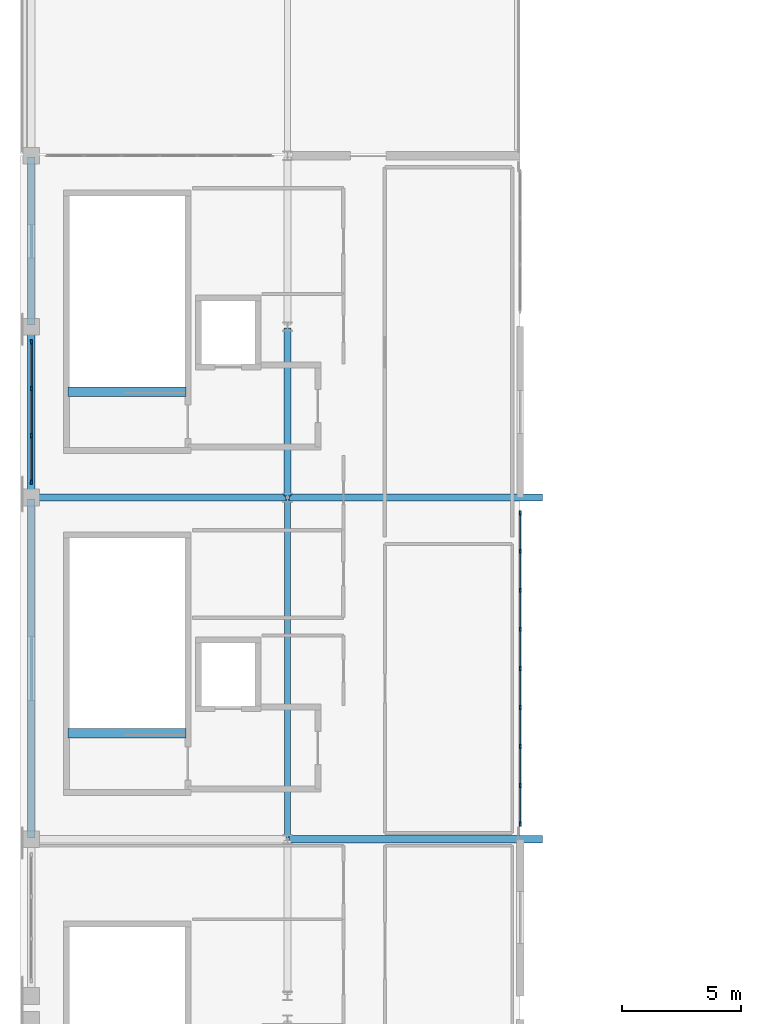
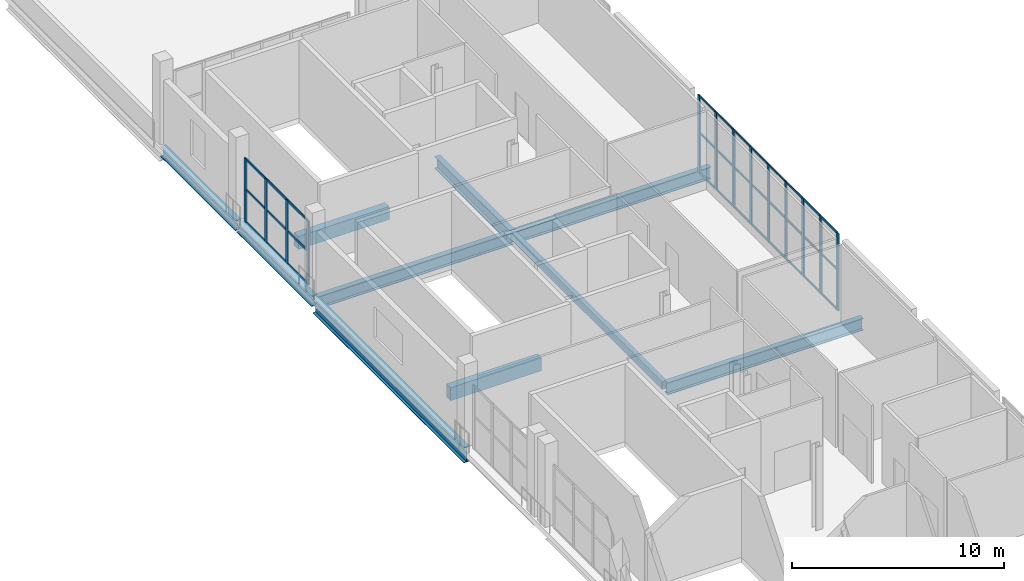
# One storey, part 6 of 19: 46 members, 10 beams, 2 elements without a shape of their own.
"""IFC4 building model written with IfcOpenShell, lengths in metres."""

from ifc_helpers import new_model, si_unit, direction, frame, origin, origin_2d, place, context, subcontext, project, spatial, rectangle, hollow_rectangle, i_section, extrude, material, material_profile, profile_set, type_object, element, aggregate, save


model = new_model("IFC4")

# Units and contexts
model_context = context("Model", 3, precision=1e-05, world=origin(), true_north=direction((0.0, 1.0)))
body_context = subcontext(model_context, "Body", "Model", "MODEL_VIEW")
ifc_project = project(units=[si_unit("LENGTHUNIT", "METRE"), si_unit("AREAUNIT", "SQUARE_METRE"), si_unit("VOLUMEUNIT", "CUBIC_METRE"), si_unit("PLANEANGLEUNIT", "RADIAN"), si_unit("MASSUNIT", "GRAM", prefix="KILO")], contexts=[model_context])

# Site, building, storey
site_placement = place(None, origin())
site = spatial("IfcSite", under=ifc_project, at=site_placement, CompositionType="ELEMENT")
building_placement = place(site_placement, origin())
building = spatial("IfcBuilding", under=site, at=building_placement, Name="Koshinbarg Plaza Stadium", CompositionType="ELEMENT")
storey_placement = place(building_placement, frame((0.0, 0.0, 29.39990234375)))
storey = spatial("IfcBuildingStorey", under=building, at=storey_placement, Name="L06", CompositionType="ELEMENT", Elevation=29.39990234375)

# Beams
ifc_material_1 = material(Name="Concrete C40/50", Category="concrete")
ifc_material_profile_1 = material_profile(ifc_material_1, rectangle(XDim=0.39990234375, YDim=0.75, at=origin_2d()), Name="RC 400x750")
ifc_profile_set_1 = profile_set([ifc_material_profile_1], Name="Concrete C40/50")
beam_type_1 = type_object("IfcBeamType", Name="BM-RCG-03", PredefinedType="USERDEFINED", material=ifc_profile_set_1)
for number, where, z_axis, x_axis, name in (
    (1, (26.14990234375, 87.56005859375, -0.375), (1.0, 0.0, 0.0), (0.0, 1.0, 0.0), "L06 stair landing header beam C05"),
    (2, (26.14990234375, 101.9599609375, -0.375), (1.0, 0.0, 0.0), (0.0, 1.0, 0.0), "L06 stair landing header beam C06"),
):
    element("IfcBeam", number, at=place(storey_placement, frame(where, z_axis=z_axis, x_axis=x_axis)), inside=storey, type_object=beam_type_1, Name=name, ObjectType="GIRDER", PredefinedType="USERDEFINED", context=body_context, shape_type="SweptSolid", body=[
        extrude(rectangle(XDim=0.39990234375, YDim=0.75, at=origin_2d()), origin(), (0.0, 0.0, 1.0), 4.97021484375),
    ])
ifc_material_2 = material(Name="Steel S355", Category="steel")
ifc_material_profile_2 = material_profile(ifc_material_2, i_section(OverallWidth=0.300048828125, OverallDepth=0.60009765625, WebThickness=0.015380859375, FlangeThickness=0.030029296875, at=origin_2d()), Name="HEB 600")
ifc_profile_set_2 = profile_set([ifc_material_profile_2], Name="Steel S355")
beam_type_2 = type_object("IfcBeamType", Name="BM-SGIR-02", PredefinedType="USERDEFINED", material=ifc_profile_set_2)
beam_1_placement = place(storey_placement, frame((24.60009765625, 97.56005859375, -0.599853515625), z_axis=(0.0, 1.0, 0.0), x_axis=(-1.0, 0.0, 0.0)))
element("IfcBeam", 3, at=beam_1_placement, inside=storey, type_object=beam_type_2, Name="L06 Y girder 5/N-P", ObjectType="GIRDER", PredefinedType="USERDEFINED", context=body_context, shape_type="SweptSolid", body=[
    extrude(i_section(OverallWidth=0.300048828125, OverallDepth=0.60009765625, WebThickness=0.015380859375, FlangeThickness=0.030029296875, at=origin_2d()), origin(), (0.0, 0.0, 1.0), 7.079833984375),
])
beam_2_placement = place(storey_placement, frame((24.60009765625, 104.760009765625, -0.599853515625), z_axis=(0.0, 1.0, 0.0), x_axis=(-1.0, 0.0, 0.0)))
element("IfcBeam", 4, at=beam_2_placement, inside=storey, type_object=beam_type_2, Name="L06 Y girder 5/P-Q", ObjectType="GIRDER", PredefinedType="USERDEFINED", context=body_context, shape_type="SweptSolid", body=[
    extrude(i_section(OverallWidth=0.300048828125, OverallDepth=0.60009765625, WebThickness=0.015380859375, FlangeThickness=0.030029296875, at=origin_2d()), origin(), (0.0, 0.0, 1.0), 7.080078125),
])
ifc_material_profile_3 = material_profile(ifc_material_2, i_section(OverallWidth=0.300048828125, OverallDepth=0.699951171875, WebThickness=0.01708984375, FlangeThickness=0.031982421875, at=origin_2d()), Name="HEB 700")
ifc_profile_set_3 = profile_set([ifc_material_profile_3], Name="Steel S355")
beam_type_3 = type_object("IfcBeamType", Name="BM-SGIR-03", PredefinedType="USERDEFINED", material=ifc_profile_set_3)
beam_3_placement = place(storey_placement, frame((35.4599609375, 83.10009765625, -0.64990234375), z_axis=(1.0, 0.0, 0.0), x_axis=(0.0, 1.0, 0.0)))
element("IfcBeam", 5, at=beam_3_placement, inside=storey, type_object=beam_type_3, Name="L06 X girder M/6-7", ObjectType="GIRDER", PredefinedType="USERDEFINED", context=body_context, shape_type="SweptSolid", body=[
    extrude(i_section(OverallWidth=0.300048828125, OverallDepth=0.699951171875, WebThickness=0.01708984375, FlangeThickness=0.031982421875, at=origin_2d()), origin(), (0.0, 0.0, 1.0), 10.679931640625),
])
beam_4_placement = place(storey_placement, frame((24.659912109375, 97.5, -0.64990234375), z_axis=(1.0, 0.0, 0.0), x_axis=(0.0, 1.0, 0.0)))
element("IfcBeam", 6, at=beam_4_placement, inside=storey, type_object=beam_type_3, Name="L06 X girder N/5-6", ObjectType="GIRDER", PredefinedType="USERDEFINED", context=body_context, shape_type="SweptSolid", body=[
    extrude(i_section(OverallWidth=0.300048828125, OverallDepth=0.699951171875, WebThickness=0.01708984375, FlangeThickness=0.031982421875, at=origin_2d()), origin(), (0.0, 0.0, 1.0), 10.68017578125),
])
beam_5_placement = place(storey_placement, frame((35.4599609375, 97.5, -0.64990234375), z_axis=(1.0, 0.0, 0.0), x_axis=(0.0, 1.0, 0.0)))
element("IfcBeam", 7, at=beam_5_placement, inside=storey, type_object=beam_type_3, Name="L06 X girder N/6-7", ObjectType="GIRDER", PredefinedType="USERDEFINED", context=body_context, shape_type="SweptSolid", body=[
    extrude(i_section(OverallWidth=0.300048828125, OverallDepth=0.699951171875, WebThickness=0.01708984375, FlangeThickness=0.031982421875, at=origin_2d()), origin(), (0.0, 0.0, 1.0), 10.679931640625),
])
beam_6_placement = place(storey_placement, frame((35.39990234375, 97.56005859375, -0.64990234375), z_axis=(0.0, 1.0, 0.0), x_axis=(-1.0, 0.0, 0.0)))
element("IfcBeam", 8, at=beam_6_placement, inside=storey, type_object=beam_type_3, Name="L06 Y girder 6/N-P", ObjectType="GIRDER", PredefinedType="USERDEFINED", context=body_context, shape_type="SweptSolid", body=[
    extrude(i_section(OverallWidth=0.300048828125, OverallDepth=0.699951171875, WebThickness=0.01708984375, FlangeThickness=0.031982421875, at=origin_2d()), origin(), (0.0, 0.0, 1.0), 7.079833984375),
])
ifc_material_profile_4 = material_profile(ifc_material_2, i_section(OverallWidth=0.300048828125, OverallDepth=0.89990234375, WebThickness=0.0185546875, FlangeThickness=0.034912109375, at=origin_2d()), Name="HEB 900")
ifc_profile_set_4 = profile_set([ifc_material_profile_4], Name="Steel S355")
beam_type_4 = type_object("IfcBeamType", Name="BM-SGIR-05", PredefinedType="USERDEFINED", material=ifc_profile_set_4)
beam_7_placement = place(storey_placement, frame((24.60009765625, 83.159912109375, -0.75), z_axis=(0.0, 1.0, 0.0), x_axis=(-1.0, 0.0, 0.0)))
element("IfcBeam", 9, at=beam_7_placement, inside=storey, type_object=beam_type_4, Name="L06 Y girder 5/M-N", ObjectType="GIRDER", PredefinedType="USERDEFINED", context=body_context, shape_type="SweptSolid", body=[
    extrude(i_section(OverallWidth=0.300048828125, OverallDepth=0.89990234375, WebThickness=0.0185546875, FlangeThickness=0.034912109375, at=origin_2d()), origin(), (0.0, 0.0, 1.0), 14.280029296875),
])
ifc_material_profile_5 = material_profile(ifc_material_2, hollow_rectangle(XDim=0.25, YDim=0.449951171875, WallThickness=0.01611328125, at=origin_2d()), Name="RHS 450x250x16")
ifc_profile_set_5 = profile_set([ifc_material_profile_5], Name="Steel S355")
beam_type_5 = type_object("IfcBeamType", Name="BM-SGIR-06", PredefinedType="USERDEFINED", material=ifc_profile_set_5)
beam_8_placement = place(storey_placement, frame((35.39990234375, 83.159912109375, -0.52490234375), z_axis=(0.0, 1.0, 0.0), x_axis=(-1.0, 0.0, 0.0)))
element("IfcBeam", 10, at=beam_8_placement, inside=storey, type_object=beam_type_5, Name="L06 Y girder 6/M-N", ObjectType="GIRDER", PredefinedType="USERDEFINED", context=body_context, shape_type="SweptSolid", body=[
    extrude(hollow_rectangle(XDim=0.25, YDim=0.449951171875, WallThickness=0.01611328125, at=origin_2d()), origin(), (0.0, 0.0, 1.0), 14.280029296875),
])

# Curtain wall, members
ifc_material_3 = material(Name="Thermally broken anodised aluminium and low-E double glazing", Category="aluminium")
curtain_wall_type_1 = type_object("IfcCurtainWallType", Name="CW-SYS-15", PredefinedType="NOTDEFINED", material=ifc_material_3)
curtain_wall_1_placement = place(storey_placement, origin())
curtain_wall_1 = element("IfcCurtainWall", 11, at=curtain_wall_1_placement, inside=storey, type_object=curtain_wall_type_1, Name="L06 unitised curtain wall CW-L06-158", PredefinedType="NOTDEFINED")
ifc_material_4 = material(Name="Anodised aluminium mullion", Category="aluminium")
ifc_material_profile_6 = material_profile(ifc_material_4, rectangle(XDim=0.070068359375, YDim=0.179931640625, at=origin_2d()), Name="ALU 70x180")
ifc_profile_set_6 = profile_set([ifc_material_profile_6], Name="Anodised aluminium mullion")
member_type_1 = type_object("IfcMemberType", Name="CW-MUL-03", PredefinedType="MULLION", material=ifc_profile_set_6)
member_1_placement = place(storey_placement, frame((45.199951171875, 96.85009765625, 0.0), z_axis=(0.0, 0.0, 1.0), x_axis=(1.0, 0.0, 0.0)))
member_1 = element("IfcMember", 12, at=member_1_placement, type_object=member_type_1, Name="CW15 mullion 1", PredefinedType="MULLION", context=body_context, shape_type="SweptSolid", body=[
    extrude(rectangle(XDim=0.070068359375, YDim=0.179931640625, at=origin_2d()), origin(), (0.0, 0.0, 1.0), 4.47998046875),
])
member_2_placement = place(storey_placement, frame((45.199951171875, 95.235107421875, 0.0), z_axis=(0.0, 0.0, 1.0), x_axis=(1.0, 0.0, 0.0)))
member_2 = element("IfcMember", 13, at=member_2_placement, type_object=member_type_1, Name="CW15 mullion 2", PredefinedType="MULLION", context=body_context, shape_type="SweptSolid", body=[
    extrude(rectangle(XDim=0.070068359375, YDim=0.179931640625, at=origin_2d()), origin(), (0.0, 0.0, 1.0), 4.47998046875),
])
member_3_placement = place(storey_placement, frame((45.199951171875, 93.590087890625, 0.0), z_axis=(0.0, 0.0, 1.0), x_axis=(1.0, 0.0, 0.0)))
member_3 = element("IfcMember", 14, at=member_3_placement, type_object=member_type_1, Name="CW15 mullion 3", PredefinedType="MULLION", context=body_context, shape_type="SweptSolid", body=[
    extrude(rectangle(XDim=0.070068359375, YDim=0.179931640625, at=origin_2d()), origin(), (0.0, 0.0, 1.0), 4.47998046875),
])
member_4_placement = place(storey_placement, frame((45.199951171875, 91.945068359375, 0.0), z_axis=(0.0, 0.0, 1.0), x_axis=(1.0, 0.0, 0.0)))
member_4 = element("IfcMember", 15, at=member_4_placement, type_object=member_type_1, Name="CW15 mullion 4", PredefinedType="MULLION", context=body_context, shape_type="SweptSolid", body=[
    extrude(rectangle(XDim=0.070068359375, YDim=0.179931640625, at=origin_2d()), origin(), (0.0, 0.0, 1.0), 4.47998046875),
])
member_5_placement = place(storey_placement, frame((45.199951171875, 90.300048828125, 0.0), z_axis=(0.0, 0.0, 1.0), x_axis=(1.0, 0.0, 0.0)))
member_5 = element("IfcMember", 16, at=member_5_placement, type_object=member_type_1, Name="CW15 mullion 5", PredefinedType="MULLION", context=body_context, shape_type="SweptSolid", body=[
    extrude(rectangle(XDim=0.070068359375, YDim=0.179931640625, at=origin_2d()), origin(), (0.0, 0.0, 1.0), 4.47998046875),
])
member_6_placement = place(storey_placement, frame((45.199951171875, 88.655029296875, 0.0), z_axis=(0.0, 0.0, 1.0), x_axis=(1.0, 0.0, 0.0)))
member_6 = element("IfcMember", 17, at=member_6_placement, type_object=member_type_1, Name="CW15 mullion 6", PredefinedType="MULLION", context=body_context, shape_type="SweptSolid", body=[
    extrude(rectangle(XDim=0.070068359375, YDim=0.179931640625, at=origin_2d()), origin(), (0.0, 0.0, 1.0), 4.47998046875),
])
member_7_placement = place(storey_placement, frame((45.199951171875, 87.010009765625, 0.0), z_axis=(0.0, 0.0, 1.0), x_axis=(1.0, 0.0, 0.0)))
member_7 = element("IfcMember", 18, at=member_7_placement, type_object=member_type_1, Name="CW15 mullion 7", PredefinedType="MULLION", context=body_context, shape_type="SweptSolid", body=[
    extrude(rectangle(XDim=0.070068359375, YDim=0.179931640625, at=origin_2d()), origin(), (0.0, 0.0, 1.0), 4.47998046875),
])
member_8_placement = place(storey_placement, frame((45.199951171875, 85.364990234375, 0.0), z_axis=(0.0, 0.0, 1.0), x_axis=(1.0, 0.0, 0.0)))
member_8 = element("IfcMember", 19, at=member_8_placement, type_object=member_type_1, Name="CW15 mullion 8", PredefinedType="MULLION", context=body_context, shape_type="SweptSolid", body=[
    extrude(rectangle(XDim=0.070068359375, YDim=0.179931640625, at=origin_2d()), origin(), (0.0, 0.0, 1.0), 4.47998046875),
])
member_9_placement = place(storey_placement, frame((45.199951171875, 83.75, 0.0), z_axis=(0.0, 0.0, 1.0), x_axis=(1.0, 0.0, 0.0)))
member_9 = element("IfcMember", 20, at=member_9_placement, type_object=member_type_1, Name="CW15 mullion 9", PredefinedType="MULLION", context=body_context, shape_type="SweptSolid", body=[
    extrude(rectangle(XDim=0.070068359375, YDim=0.179931640625, at=origin_2d()), origin(), (0.0, 0.0, 1.0), 4.47998046875),
])

curtain_wall_type_2 = type_object("IfcCurtainWallType", Name="CW-SYS-12", PredefinedType="NOTDEFINED", material=ifc_material_3)
curtain_wall_2_placement = place(storey_placement, origin())
curtain_wall_2 = element("IfcCurtainWall", 21, at=curtain_wall_2_placement, inside=storey, type_object=curtain_wall_type_2, Name="L06 unitised curtain wall CW-L06-155", PredefinedType="NOTDEFINED")
ifc_material_profile_7 = material_profile(ifc_material_4, rectangle(XDim=0.070068359375, YDim=0.199951171875, at=origin_2d()), Name="ALU 70x200")
ifc_profile_set_7 = profile_set([ifc_material_profile_7], Name="Anodised aluminium mullion")
member_type_2 = type_object("IfcMemberType", Name="CW-MUL-04", PredefinedType="MULLION", material=ifc_profile_set_7)
member_10_placement = place(storey_placement, frame((24.60009765625, 98.14990234375, 0.0), z_axis=(0.0, 0.0, 1.0), x_axis=(-1.0, 0.0, 0.0)))
member_10 = element("IfcMember", 22, at=member_10_placement, type_object=member_type_2, Name="CW12 mullion 1", PredefinedType="MULLION", context=body_context, shape_type="SweptSolid", body=[
    extrude(rectangle(XDim=0.070068359375, YDim=0.199951171875, at=origin_2d()), origin(), (0.0, 0.0, 1.0), 3.68017578125),
])
member_11_placement = place(storey_placement, frame((24.60009765625, 100.106689453125, 0.0), z_axis=(0.0, 0.0, 1.0), x_axis=(-1.0, 0.0, 0.0)))
member_11 = element("IfcMember", 23, at=member_11_placement, type_object=member_type_2, Name="CW12 mullion 2", PredefinedType="MULLION", context=body_context, shape_type="SweptSolid", body=[
    extrude(rectangle(XDim=0.070068359375, YDim=0.199951171875, at=origin_2d()), origin(), (0.0, 0.0, 1.0), 3.68017578125),
])
member_12_placement = place(storey_placement, frame((24.60009765625, 102.09326171875, 0.0), z_axis=(0.0, 0.0, 1.0), x_axis=(-1.0, 0.0, 0.0)))
member_12 = element("IfcMember", 24, at=member_12_placement, type_object=member_type_2, Name="CW12 mullion 3", PredefinedType="MULLION", context=body_context, shape_type="SweptSolid", body=[
    extrude(rectangle(XDim=0.070068359375, YDim=0.199951171875, at=origin_2d()), origin(), (0.0, 0.0, 1.0), 3.68017578125),
])
member_13_placement = place(storey_placement, frame((24.60009765625, 104.050048828125, 0.0), z_axis=(0.0, 0.0, 1.0), x_axis=(-1.0, 0.0, 0.0)))
member_13 = element("IfcMember", 25, at=member_13_placement, type_object=member_type_2, Name="CW12 mullion 4", PredefinedType="MULLION", context=body_context, shape_type="SweptSolid", body=[
    extrude(rectangle(XDim=0.070068359375, YDim=0.199951171875, at=origin_2d()), origin(), (0.0, 0.0, 1.0), 3.68017578125),
])

# Member
ifc_material_5 = material(Name="Anodised aluminium transom", Category="aluminium")
ifc_material_profile_8 = material_profile(ifc_material_5, rectangle(XDim=0.06005859375, YDim=0.110107421875, at=origin_2d()), Name="ALU 60x110")
ifc_profile_set_8 = profile_set([ifc_material_profile_8], Name="Anodised aluminium transom")
member_type_3 = type_object("IfcMemberType", Name="CW-TRN-01", PredefinedType="USERDEFINED", material=ifc_profile_set_8)
member_14_placement = place(storey_placement, frame((45.199951171875, 96.820068359375, 0.030029296875), z_axis=(0.0, -1.0, 0.0), x_axis=(1.0, 0.0, 0.0)))
member_14 = element("IfcMember", 26, at=member_14_placement, type_object=member_type_3, Name="CW15 transom 1.1", ObjectType="TRANSOM", PredefinedType="USERDEFINED", context=body_context, shape_type="SweptSolid", body=[
    extrude(rectangle(XDim=0.06005859375, YDim=0.110107421875, at=origin_2d()), origin(), (0.0, 0.0, 1.0), 1.55517578125),
])

member_15_placement = place(storey_placement, frame((45.199951171875, 96.820068359375, 2.32958984375), z_axis=(0.0, -1.0, 0.0), x_axis=(1.0, 0.0, 0.0)))
member_15 = element("IfcMember", 27, at=member_15_placement, type_object=member_type_3, Name="CW15 transom 1.2", ObjectType="TRANSOM", PredefinedType="USERDEFINED", context=body_context, shape_type="SweptSolid", body=[
    extrude(rectangle(XDim=0.06005859375, YDim=0.110107421875, at=origin_2d()), origin(), (0.0, 0.0, 1.0), 1.55517578125),
])

member_16_placement = place(storey_placement, frame((45.199951171875, 96.820068359375, 4.4501953125), z_axis=(0.0, -1.0, 0.0), x_axis=(1.0, 0.0, 0.0)))
member_16 = element("IfcMember", 28, at=member_16_placement, type_object=member_type_3, Name="CW15 transom 1.3", ObjectType="TRANSOM", PredefinedType="USERDEFINED", context=body_context, shape_type="SweptSolid", body=[
    extrude(rectangle(XDim=0.06005859375, YDim=0.110107421875, at=origin_2d()), origin(), (0.0, 0.0, 1.0), 1.55517578125),
])

member_17_placement = place(storey_placement, frame((45.199951171875, 95.205078125, 0.030029296875), z_axis=(0.0, -1.0, 0.0), x_axis=(1.0, 0.0, 0.0)))
member_17 = element("IfcMember", 29, at=member_17_placement, type_object=member_type_3, Name="CW15 transom 2.1", ObjectType="TRANSOM", PredefinedType="USERDEFINED", context=body_context, shape_type="SweptSolid", body=[
    extrude(rectangle(XDim=0.06005859375, YDim=0.110107421875, at=origin_2d()), origin(), (0.0, 0.0, 1.0), 1.5849609375),
])

member_18_placement = place(storey_placement, frame((45.199951171875, 95.205078125, 2.32958984375), z_axis=(0.0, -1.0, 0.0), x_axis=(1.0, 0.0, 0.0)))
member_18 = element("IfcMember", 30, at=member_18_placement, type_object=member_type_3, Name="CW15 transom 2.2", ObjectType="TRANSOM", PredefinedType="USERDEFINED", context=body_context, shape_type="SweptSolid", body=[
    extrude(rectangle(XDim=0.06005859375, YDim=0.110107421875, at=origin_2d()), origin(), (0.0, 0.0, 1.0), 1.5849609375),
])

member_19_placement = place(storey_placement, frame((45.199951171875, 95.205078125, 4.4501953125), z_axis=(0.0, -1.0, 0.0), x_axis=(1.0, 0.0, 0.0)))
member_19 = element("IfcMember", 31, at=member_19_placement, type_object=member_type_3, Name="CW15 transom 2.3", ObjectType="TRANSOM", PredefinedType="USERDEFINED", context=body_context, shape_type="SweptSolid", body=[
    extrude(rectangle(XDim=0.06005859375, YDim=0.110107421875, at=origin_2d()), origin(), (0.0, 0.0, 1.0), 1.5849609375),
])

member_20_placement = place(storey_placement, frame((45.199951171875, 93.56005859375, 0.030029296875), z_axis=(0.0, -1.0, 0.0), x_axis=(1.0, 0.0, 0.0)))
member_20 = element("IfcMember", 32, at=member_20_placement, type_object=member_type_3, Name="CW15 transom 3.1", ObjectType="TRANSOM", PredefinedType="USERDEFINED", context=body_context, shape_type="SweptSolid", body=[
    extrude(rectangle(XDim=0.06005859375, YDim=0.110107421875, at=origin_2d()), origin(), (0.0, 0.0, 1.0), 1.5849609375),
])

member_21_placement = place(storey_placement, frame((45.199951171875, 93.56005859375, 2.32958984375), z_axis=(0.0, -1.0, 0.0), x_axis=(1.0, 0.0, 0.0)))
member_21 = element("IfcMember", 33, at=member_21_placement, type_object=member_type_3, Name="CW15 transom 3.2", ObjectType="TRANSOM", PredefinedType="USERDEFINED", context=body_context, shape_type="SweptSolid", body=[
    extrude(rectangle(XDim=0.06005859375, YDim=0.110107421875, at=origin_2d()), origin(), (0.0, 0.0, 1.0), 1.5849609375),
])

member_22_placement = place(storey_placement, frame((45.199951171875, 93.56005859375, 4.4501953125), z_axis=(0.0, -1.0, 0.0), x_axis=(1.0, 0.0, 0.0)))
member_22 = element("IfcMember", 34, at=member_22_placement, type_object=member_type_3, Name="CW15 transom 3.3", ObjectType="TRANSOM", PredefinedType="USERDEFINED", context=body_context, shape_type="SweptSolid", body=[
    extrude(rectangle(XDim=0.06005859375, YDim=0.110107421875, at=origin_2d()), origin(), (0.0, 0.0, 1.0), 1.5849609375),
])

member_23_placement = place(storey_placement, frame((45.199951171875, 91.9150390625, 0.030029296875), z_axis=(0.0, -1.0, 0.0), x_axis=(1.0, 0.0, 0.0)))
member_23 = element("IfcMember", 35, at=member_23_placement, type_object=member_type_3, Name="CW15 transom 4.1", ObjectType="TRANSOM", PredefinedType="USERDEFINED", context=body_context, shape_type="SweptSolid", body=[
    extrude(rectangle(XDim=0.06005859375, YDim=0.110107421875, at=origin_2d()), origin(), (0.0, 0.0, 1.0), 1.5849609375),
])

member_24_placement = place(storey_placement, frame((45.199951171875, 91.9150390625, 2.32958984375), z_axis=(0.0, -1.0, 0.0), x_axis=(1.0, 0.0, 0.0)))
member_24 = element("IfcMember", 36, at=member_24_placement, type_object=member_type_3, Name="CW15 transom 4.2", ObjectType="TRANSOM", PredefinedType="USERDEFINED", context=body_context, shape_type="SweptSolid", body=[
    extrude(rectangle(XDim=0.06005859375, YDim=0.110107421875, at=origin_2d()), origin(), (0.0, 0.0, 1.0), 1.5849609375),
])

member_25_placement = place(storey_placement, frame((45.199951171875, 91.9150390625, 4.4501953125), z_axis=(0.0, -1.0, 0.0), x_axis=(1.0, 0.0, 0.0)))
member_25 = element("IfcMember", 37, at=member_25_placement, type_object=member_type_3, Name="CW15 transom 4.3", ObjectType="TRANSOM", PredefinedType="USERDEFINED", context=body_context, shape_type="SweptSolid", body=[
    extrude(rectangle(XDim=0.06005859375, YDim=0.110107421875, at=origin_2d()), origin(), (0.0, 0.0, 1.0), 1.5849609375),
])

member_26_placement = place(storey_placement, frame((45.199951171875, 90.27001953125, 0.030029296875), z_axis=(0.0, -1.0, 0.0), x_axis=(1.0, 0.0, 0.0)))
member_26 = element("IfcMember", 38, at=member_26_placement, type_object=member_type_3, Name="CW15 transom 5.1", ObjectType="TRANSOM", PredefinedType="USERDEFINED", context=body_context, shape_type="SweptSolid", body=[
    extrude(rectangle(XDim=0.06005859375, YDim=0.110107421875, at=origin_2d()), origin(), (0.0, 0.0, 1.0), 1.5849609375),
])

member_27_placement = place(storey_placement, frame((45.199951171875, 90.27001953125, 2.32958984375), z_axis=(0.0, -1.0, 0.0), x_axis=(1.0, 0.0, 0.0)))
member_27 = element("IfcMember", 39, at=member_27_placement, type_object=member_type_3, Name="CW15 transom 5.2", ObjectType="TRANSOM", PredefinedType="USERDEFINED", context=body_context, shape_type="SweptSolid", body=[
    extrude(rectangle(XDim=0.06005859375, YDim=0.110107421875, at=origin_2d()), origin(), (0.0, 0.0, 1.0), 1.5849609375),
])

member_28_placement = place(storey_placement, frame((45.199951171875, 90.27001953125, 4.4501953125), z_axis=(0.0, -1.0, 0.0), x_axis=(1.0, 0.0, 0.0)))
member_28 = element("IfcMember", 40, at=member_28_placement, type_object=member_type_3, Name="CW15 transom 5.3", ObjectType="TRANSOM", PredefinedType="USERDEFINED", context=body_context, shape_type="SweptSolid", body=[
    extrude(rectangle(XDim=0.06005859375, YDim=0.110107421875, at=origin_2d()), origin(), (0.0, 0.0, 1.0), 1.5849609375),
])

member_29_placement = place(storey_placement, frame((45.199951171875, 88.625, 0.030029296875), z_axis=(0.0, -1.0, 0.0), x_axis=(1.0, 0.0, 0.0)))
member_29 = element("IfcMember", 41, at=member_29_placement, type_object=member_type_3, Name="CW15 transom 6.1", ObjectType="TRANSOM", PredefinedType="USERDEFINED", context=body_context, shape_type="SweptSolid", body=[
    extrude(rectangle(XDim=0.06005859375, YDim=0.110107421875, at=origin_2d()), origin(), (0.0, 0.0, 1.0), 1.5849609375),
])

member_30_placement = place(storey_placement, frame((45.199951171875, 88.625, 2.32958984375), z_axis=(0.0, -1.0, 0.0), x_axis=(1.0, 0.0, 0.0)))
member_30 = element("IfcMember", 42, at=member_30_placement, type_object=member_type_3, Name="CW15 transom 6.2", ObjectType="TRANSOM", PredefinedType="USERDEFINED", context=body_context, shape_type="SweptSolid", body=[
    extrude(rectangle(XDim=0.06005859375, YDim=0.110107421875, at=origin_2d()), origin(), (0.0, 0.0, 1.0), 1.5849609375),
])

member_31_placement = place(storey_placement, frame((45.199951171875, 88.625, 4.4501953125), z_axis=(0.0, -1.0, 0.0), x_axis=(1.0, 0.0, 0.0)))
member_31 = element("IfcMember", 43, at=member_31_placement, type_object=member_type_3, Name="CW15 transom 6.3", ObjectType="TRANSOM", PredefinedType="USERDEFINED", context=body_context, shape_type="SweptSolid", body=[
    extrude(rectangle(XDim=0.06005859375, YDim=0.110107421875, at=origin_2d()), origin(), (0.0, 0.0, 1.0), 1.5849609375),
])

member_32_placement = place(storey_placement, frame((45.199951171875, 86.97998046875, 0.030029296875), z_axis=(0.0, -1.0, 0.0), x_axis=(1.0, 0.0, 0.0)))
member_32 = element("IfcMember", 44, at=member_32_placement, type_object=member_type_3, Name="CW15 transom 7.1", ObjectType="TRANSOM", PredefinedType="USERDEFINED", context=body_context, shape_type="SweptSolid", body=[
    extrude(rectangle(XDim=0.06005859375, YDim=0.110107421875, at=origin_2d()), origin(), (0.0, 0.0, 1.0), 1.5849609375),
])

member_33_placement = place(storey_placement, frame((45.199951171875, 86.97998046875, 2.32958984375), z_axis=(0.0, -1.0, 0.0), x_axis=(1.0, 0.0, 0.0)))
member_33 = element("IfcMember", 45, at=member_33_placement, type_object=member_type_3, Name="CW15 transom 7.2", ObjectType="TRANSOM", PredefinedType="USERDEFINED", context=body_context, shape_type="SweptSolid", body=[
    extrude(rectangle(XDim=0.06005859375, YDim=0.110107421875, at=origin_2d()), origin(), (0.0, 0.0, 1.0), 1.5849609375),
])

member_34_placement = place(storey_placement, frame((45.199951171875, 86.97998046875, 4.4501953125), z_axis=(0.0, -1.0, 0.0), x_axis=(1.0, 0.0, 0.0)))
member_34 = element("IfcMember", 46, at=member_34_placement, type_object=member_type_3, Name="CW15 transom 7.3", ObjectType="TRANSOM", PredefinedType="USERDEFINED", context=body_context, shape_type="SweptSolid", body=[
    extrude(rectangle(XDim=0.06005859375, YDim=0.110107421875, at=origin_2d()), origin(), (0.0, 0.0, 1.0), 1.5849609375),
])

member_35_placement = place(storey_placement, frame((45.199951171875, 85.3349609375, 0.030029296875), z_axis=(0.0, -1.0, 0.0), x_axis=(1.0, 0.0, 0.0)))
member_35 = element("IfcMember", 47, at=member_35_placement, type_object=member_type_3, Name="CW15 transom 8.1", ObjectType="TRANSOM", PredefinedType="USERDEFINED", context=body_context, shape_type="SweptSolid", body=[
    extrude(rectangle(XDim=0.06005859375, YDim=0.110107421875, at=origin_2d()), origin(), (0.0, 0.0, 1.0), 1.554931640625),
])

member_36_placement = place(storey_placement, frame((45.199951171875, 85.3349609375, 2.32958984375), z_axis=(0.0, -1.0, 0.0), x_axis=(1.0, 0.0, 0.0)))
member_36 = element("IfcMember", 48, at=member_36_placement, type_object=member_type_3, Name="CW15 transom 8.2", ObjectType="TRANSOM", PredefinedType="USERDEFINED", context=body_context, shape_type="SweptSolid", body=[
    extrude(rectangle(XDim=0.06005859375, YDim=0.110107421875, at=origin_2d()), origin(), (0.0, 0.0, 1.0), 1.554931640625),
])

member_37_placement = place(storey_placement, frame((45.199951171875, 85.3349609375, 4.4501953125), z_axis=(0.0, -1.0, 0.0), x_axis=(1.0, 0.0, 0.0)))
member_37 = element("IfcMember", 49, at=member_37_placement, type_object=member_type_3, Name="CW15 transom 8.3", ObjectType="TRANSOM", PredefinedType="USERDEFINED", context=body_context, shape_type="SweptSolid", body=[
    extrude(rectangle(XDim=0.06005859375, YDim=0.110107421875, at=origin_2d()), origin(), (0.0, 0.0, 1.0), 1.554931640625),
])

aggregate(curtain_wall_1, [member_1, member_2, member_3, member_4, member_5, member_6, member_7, member_8, member_9, member_14, member_15, member_16, member_17, member_18, member_19, member_20, member_21, member_22, member_23, member_24, member_25, member_26, member_27, member_28, member_29, member_30, member_31, member_32, member_33, member_34, member_35, member_36, member_37])

ifc_material_profile_9 = material_profile(ifc_material_5, rectangle(XDim=0.06005859375, YDim=0.1298828125, at=origin_2d()), Name="ALU 60x130")
ifc_profile_set_9 = profile_set([ifc_material_profile_9], Name="Anodised aluminium transom")
member_type_4 = type_object("IfcMemberType", Name="CW-TRN-02", PredefinedType="USERDEFINED", material=ifc_profile_set_9)
member_38_placement = place(storey_placement, frame((24.60009765625, 98.179931640625, 0.030029296875), z_axis=(0.0, 1.0, 0.0), x_axis=(-1.0, 0.0, 0.0)))
member_38 = element("IfcMember", 50, at=member_38_placement, type_object=member_type_4, Name="CW12 transom 1.1", ObjectType="TRANSOM", PredefinedType="USERDEFINED", context=body_context, shape_type="SweptSolid", body=[
    extrude(rectangle(XDim=0.06005859375, YDim=0.1298828125, at=origin_2d()), origin(), (0.0, 0.0, 1.0), 1.896728515625),
])

member_39_placement = place(storey_placement, frame((24.60009765625, 98.179931640625, 1.913818359375), z_axis=(0.0, 1.0, 0.0), x_axis=(-1.0, 0.0, 0.0)))
member_39 = element("IfcMember", 51, at=member_39_placement, type_object=member_type_4, Name="CW12 transom 1.2", ObjectType="TRANSOM", PredefinedType="USERDEFINED", context=body_context, shape_type="SweptSolid", body=[
    extrude(rectangle(XDim=0.06005859375, YDim=0.1298828125, at=origin_2d()), origin(), (0.0, 0.0, 1.0), 1.896728515625),
])

member_40_placement = place(storey_placement, frame((24.60009765625, 98.179931640625, 3.650146484375), z_axis=(0.0, 1.0, 0.0), x_axis=(-1.0, 0.0, 0.0)))
member_40 = element("IfcMember", 52, at=member_40_placement, type_object=member_type_4, Name="CW12 transom 1.3", ObjectType="TRANSOM", PredefinedType="USERDEFINED", context=body_context, shape_type="SweptSolid", body=[
    extrude(rectangle(XDim=0.06005859375, YDim=0.1298828125, at=origin_2d()), origin(), (0.0, 0.0, 1.0), 1.896728515625),
])

member_41_placement = place(storey_placement, frame((24.60009765625, 100.13671875, 0.030029296875), z_axis=(0.0, 1.0, 0.0), x_axis=(-1.0, 0.0, 0.0)))
member_41 = element("IfcMember", 53, at=member_41_placement, type_object=member_type_4, Name="CW12 transom 2.1", ObjectType="TRANSOM", PredefinedType="USERDEFINED", context=body_context, shape_type="SweptSolid", body=[
    extrude(rectangle(XDim=0.06005859375, YDim=0.1298828125, at=origin_2d()), origin(), (0.0, 0.0, 1.0), 1.926513671875),
])

member_42_placement = place(storey_placement, frame((24.60009765625, 100.13671875, 1.913818359375), z_axis=(0.0, 1.0, 0.0), x_axis=(-1.0, 0.0, 0.0)))
member_42 = element("IfcMember", 54, at=member_42_placement, type_object=member_type_4, Name="CW12 transom 2.2", ObjectType="TRANSOM", PredefinedType="USERDEFINED", context=body_context, shape_type="SweptSolid", body=[
    extrude(rectangle(XDim=0.06005859375, YDim=0.1298828125, at=origin_2d()), origin(), (0.0, 0.0, 1.0), 1.926513671875),
])

member_43_placement = place(storey_placement, frame((24.60009765625, 100.13671875, 3.650146484375), z_axis=(0.0, 1.0, 0.0), x_axis=(-1.0, 0.0, 0.0)))
member_43 = element("IfcMember", 55, at=member_43_placement, type_object=member_type_4, Name="CW12 transom 2.3", ObjectType="TRANSOM", PredefinedType="USERDEFINED", context=body_context, shape_type="SweptSolid", body=[
    extrude(rectangle(XDim=0.06005859375, YDim=0.1298828125, at=origin_2d()), origin(), (0.0, 0.0, 1.0), 1.926513671875),
])

member_44_placement = place(storey_placement, frame((24.60009765625, 102.123291015625, 0.030029296875), z_axis=(0.0, 1.0, 0.0), x_axis=(-1.0, 0.0, 0.0)))
member_44 = element("IfcMember", 56, at=member_44_placement, type_object=member_type_4, Name="CW12 transom 3.1", ObjectType="TRANSOM", PredefinedType="USERDEFINED", context=body_context, shape_type="SweptSolid", body=[
    extrude(rectangle(XDim=0.06005859375, YDim=0.1298828125, at=origin_2d()), origin(), (0.0, 0.0, 1.0), 1.896728515625),
])

member_45_placement = place(storey_placement, frame((24.60009765625, 102.123291015625, 1.913818359375), z_axis=(0.0, 1.0, 0.0), x_axis=(-1.0, 0.0, 0.0)))
member_45 = element("IfcMember", 57, at=member_45_placement, type_object=member_type_4, Name="CW12 transom 3.2", ObjectType="TRANSOM", PredefinedType="USERDEFINED", context=body_context, shape_type="SweptSolid", body=[
    extrude(rectangle(XDim=0.06005859375, YDim=0.1298828125, at=origin_2d()), origin(), (0.0, 0.0, 1.0), 1.896728515625),
])

member_46_placement = place(storey_placement, frame((24.60009765625, 102.123291015625, 3.650146484375), z_axis=(0.0, 1.0, 0.0), x_axis=(-1.0, 0.0, 0.0)))
member_46 = element("IfcMember", 58, at=member_46_placement, type_object=member_type_4, Name="CW12 transom 3.3", ObjectType="TRANSOM", PredefinedType="USERDEFINED", context=body_context, shape_type="SweptSolid", body=[
    extrude(rectangle(XDim=0.06005859375, YDim=0.1298828125, at=origin_2d()), origin(), (0.0, 0.0, 1.0), 1.896728515625),
])

aggregate(curtain_wall_2, [member_10, member_11, member_12, member_13, member_38, member_39, member_40, member_41, member_42, member_43, member_44, member_45, member_46])

save(model, "model.ifc")
